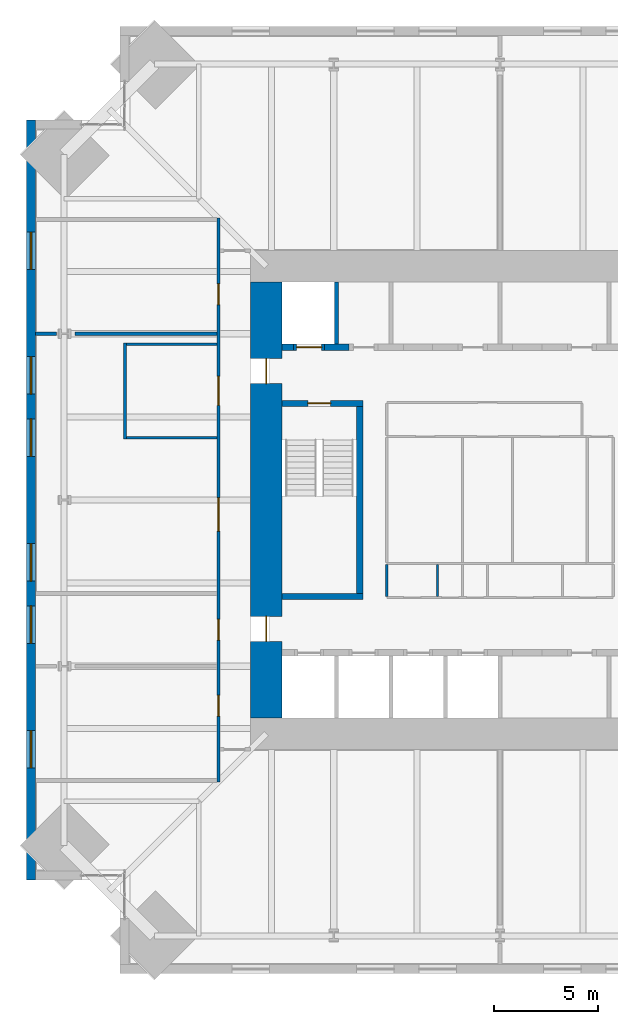
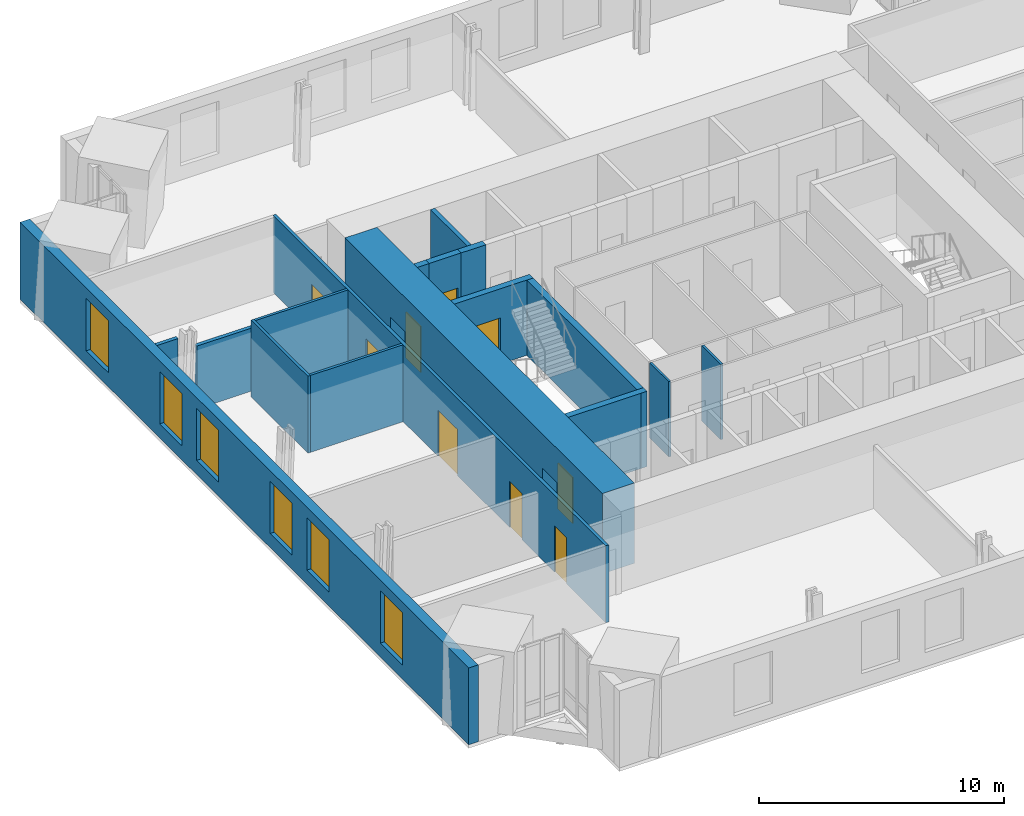
# One storey, part 11 of 15: 17 walls, 9 doors, 6 windows, 15 openings.
"""IFC4 building model written with IfcOpenShell, lengths in metres."""

from ifc_helpers import new_model, si_unit, direction, frame, frame_2d, origin, place, context, subcontext, project, spatial, rectangle, extrude, material, layer, layer_set, type_object, element, fill, save


model = new_model("IFC4")

# Units and contexts
model_context = context("Model", 3, precision=1e-05, world=origin(), true_north=direction((0.0, 1.0)))
body_context = subcontext(model_context, "Body", "Model", "MODEL_VIEW")
ifc_project = project(units=[si_unit("LENGTHUNIT", "METRE"), si_unit("AREAUNIT", "SQUARE_METRE"), si_unit("VOLUMEUNIT", "CUBIC_METRE"), si_unit("PLANEANGLEUNIT", "RADIAN"), si_unit("MASSUNIT", "GRAM", prefix="KILO")], contexts=[model_context])

# Site, building, storey
site_placement = place(None, origin())
site = spatial("IfcSite", under=ifc_project, at=site_placement, CompositionType="ELEMENT")
building_placement = place(site_placement, origin())
building = spatial("IfcBuilding", under=site, at=building_placement, Name="Peilmerk Tower", CompositionType="ELEMENT")
storey_placement = place(building_placement, frame((0.0, 0.0, 245.800048828125)))
storey = spatial("IfcBuildingStorey", under=building, at=storey_placement, Name="L54", CompositionType="ELEMENT", Elevation=245.800048828125)

# Wall, openings, windows
ifc_material_1 = material(Name="Precast concrete C45/55, board-marked finish", Category="concrete")
ifc_layer_1 = layer(ifc_material_1, 0.449951171875)
ifc_layer_set_1 = layer_set([ifc_layer_1], Name="Precast concrete C45/55, board-marked finish")
wall_type_1 = type_object("IfcWallType", Name="EW1 450 precast concrete facade wall, board-marked", PredefinedType="SOLIDWALL", material=ifc_layer_set_1)
wall_1_placement = place(storey_placement, frame((-22.574951171875, 18.300048828125, 0.0), z_axis=(0.0, 0.0, 1.0), x_axis=(0.0, -1.0, 0.0)))
wall_1 = element("IfcWall", 1, at=wall_1_placement, inside=storey, type_object=wall_type_1, Name="Facade wall W L54", PredefinedType="SOLIDWALL", context=body_context, shape_type="SweptSolid", body=[
    extrude(rectangle(XDim=36.60009765625, YDim=0.449951171875, at=frame_2d((18.300048828125, 0.0))), origin(), (0.0, 0.0, 1.0), 3.829833984375),
])
opening_1_placement = place(wall_1_placement, frame((5.39990234375, 0.0, 0.699951171875)))
opening_1 = element("IfcOpeningElement", 2, at=opening_1_placement, cuts=wall_1, Name="Opening W1", PredefinedType="OPENING", context=body_context, shape_type="SweptSolid", body=[
    extrude(rectangle(XDim=1.800048828125, YDim=2.60009765625, at=frame_2d((0.89990234375, 1.300048828125))), frame((0.0, 0.23486328125, 0.0), z_axis=(0.0, -1.0, 0.0), x_axis=(1.0, 0.0, 0.0)), (0.0, 0.0, 1.0), 0.469970703125),
])
opening_2_placement = place(wall_1_placement, frame((11.39990234375, 0.0, 0.699951171875)))
opening_2 = element("IfcOpeningElement", 3, at=opening_2_placement, cuts=wall_1, Name="Opening W1", PredefinedType="OPENING", context=body_context, shape_type="SweptSolid", body=[
    extrude(rectangle(XDim=1.800048828125, YDim=2.60009765625, at=frame_2d((0.89990234375, 1.300048828125))), frame((0.0, 0.23486328125, 0.0), z_axis=(0.0, -1.0, 0.0), x_axis=(1.0, 0.0, 0.0)), (0.0, 0.0, 1.0), 0.469970703125),
])
opening_3_placement = place(wall_1_placement, frame((14.39990234375, 0.0, 0.699951171875)))
opening_3 = element("IfcOpeningElement", 4, at=opening_3_placement, cuts=wall_1, Name="Opening W1", PredefinedType="OPENING", context=body_context, shape_type="SweptSolid", body=[
    extrude(rectangle(XDim=1.800048828125, YDim=2.60009765625, at=frame_2d((0.89990234375, 1.300048828125))), frame((0.0, 0.23486328125, 0.0), z_axis=(0.0, -1.0, 0.0), x_axis=(1.0, 0.0, 0.0)), (0.0, 0.0, 1.0), 0.469970703125),
])
opening_4_placement = place(wall_1_placement, frame((20.39990234375, 0.0, 0.699951171875)))
opening_4 = element("IfcOpeningElement", 5, at=opening_4_placement, cuts=wall_1, Name="Opening W1", PredefinedType="OPENING", context=body_context, shape_type="SweptSolid", body=[
    extrude(rectangle(XDim=1.800048828125, YDim=2.60009765625, at=frame_2d((0.89990234375, 1.300048828125))), frame((0.0, 0.23486328125, 0.0), z_axis=(0.0, -1.0, 0.0), x_axis=(1.0, 0.0, 0.0)), (0.0, 0.0, 1.0), 0.469970703125),
])
opening_5_placement = place(wall_1_placement, frame((23.39990234375, 0.0, 0.699951171875)))
opening_5 = element("IfcOpeningElement", 6, at=opening_5_placement, cuts=wall_1, Name="Opening W1", PredefinedType="OPENING", context=body_context, shape_type="SweptSolid", body=[
    extrude(rectangle(XDim=1.800048828125, YDim=2.60009765625, at=frame_2d((0.89990234375, 1.300048828125))), frame((0.0, 0.23486328125, 0.0), z_axis=(0.0, -1.0, 0.0), x_axis=(1.0, 0.0, 0.0)), (0.0, 0.0, 1.0), 0.469970703125),
])
opening_6_placement = place(wall_1_placement, frame((29.39990234375, 0.0, 0.699951171875)))
opening_6 = element("IfcOpeningElement", 7, at=opening_6_placement, cuts=wall_1, Name="Opening W1", PredefinedType="OPENING", context=body_context, shape_type="SweptSolid", body=[
    extrude(rectangle(XDim=1.800048828125, YDim=2.60009765625, at=frame_2d((0.89990234375, 1.300048828125))), frame((0.0, 0.23486328125, 0.0), z_axis=(0.0, -1.0, 0.0), x_axis=(1.0, 0.0, 0.0)), (0.0, 0.0, 1.0), 0.469970703125),
])
ifc_material_2 = material(Name="Aluminium frame, clear double glazing", Category="aluminium")
window_type = type_object("IfcWindowType", Name="W1 1800x2600 office window", PartitioningType="SINGLE_PANEL", PredefinedType="WINDOW", material=ifc_material_2)
window_1_placement = place(opening_1_placement, origin())
window_1 = element("IfcWindow", 8, at=window_1_placement, inside=storey, type_object=window_type, Name="Window W1 L54", OverallHeight=2.60009765625, OverallWidth=1.800048828125, PartitioningType="SINGLE_PANEL", PredefinedType="WINDOW", context=body_context, shape_type="SweptSolid", body=[
    extrude(rectangle(XDim=1.800048828125, YDim=2.60009765625, at=frame_2d((0.89990234375, 1.300048828125))), frame((0.0, 0.030029296875, 0.0), z_axis=(0.0, -1.0, 0.0), x_axis=(1.0, 0.0, 0.0)), (0.0, 0.0, 1.0), 0.06005859375),
])
fill(opening_1, window_1)
window_2_placement = place(opening_2_placement, origin())
window_2 = element("IfcWindow", 9, at=window_2_placement, inside=storey, type_object=window_type, Name="Window W1 L54", OverallHeight=2.60009765625, OverallWidth=1.800048828125, PartitioningType="SINGLE_PANEL", PredefinedType="WINDOW", context=body_context, shape_type="SweptSolid", body=[
    extrude(rectangle(XDim=1.800048828125, YDim=2.60009765625, at=frame_2d((0.89990234375, 1.300048828125))), frame((0.0, 0.030029296875, 0.0), z_axis=(0.0, -1.0, 0.0), x_axis=(1.0, 0.0, 0.0)), (0.0, 0.0, 1.0), 0.06005859375),
])
fill(opening_2, window_2)
window_3_placement = place(opening_3_placement, origin())
window_3 = element("IfcWindow", 10, at=window_3_placement, inside=storey, type_object=window_type, Name="Window W1 L54", OverallHeight=2.60009765625, OverallWidth=1.800048828125, PartitioningType="SINGLE_PANEL", PredefinedType="WINDOW", context=body_context, shape_type="SweptSolid", body=[
    extrude(rectangle(XDim=1.800048828125, YDim=2.60009765625, at=frame_2d((0.89990234375, 1.300048828125))), frame((0.0, 0.030029296875, 0.0), z_axis=(0.0, -1.0, 0.0), x_axis=(1.0, 0.0, 0.0)), (0.0, 0.0, 1.0), 0.06005859375),
])
fill(opening_3, window_3)
window_4_placement = place(opening_4_placement, origin())
window_4 = element("IfcWindow", 11, at=window_4_placement, inside=storey, type_object=window_type, Name="Window W1 L54", OverallHeight=2.60009765625, OverallWidth=1.800048828125, PartitioningType="SINGLE_PANEL", PredefinedType="WINDOW", context=body_context, shape_type="SweptSolid", body=[
    extrude(rectangle(XDim=1.800048828125, YDim=2.60009765625, at=frame_2d((0.89990234375, 1.300048828125))), frame((0.0, 0.030029296875, 0.0), z_axis=(0.0, -1.0, 0.0), x_axis=(1.0, 0.0, 0.0)), (0.0, 0.0, 1.0), 0.06005859375),
])
fill(opening_4, window_4)
window_5_placement = place(opening_5_placement, origin())
window_5 = element("IfcWindow", 12, at=window_5_placement, inside=storey, type_object=window_type, Name="Window W1 L54", OverallHeight=2.60009765625, OverallWidth=1.800048828125, PartitioningType="SINGLE_PANEL", PredefinedType="WINDOW", context=body_context, shape_type="SweptSolid", body=[
    extrude(rectangle(XDim=1.800048828125, YDim=2.60009765625, at=frame_2d((0.89990234375, 1.300048828125))), frame((0.0, 0.030029296875, 0.0), z_axis=(0.0, -1.0, 0.0), x_axis=(1.0, 0.0, 0.0)), (0.0, 0.0, 1.0), 0.06005859375),
])
fill(opening_5, window_5)
window_6_placement = place(opening_6_placement, origin())
window_6 = element("IfcWindow", 13, at=window_6_placement, inside=storey, type_object=window_type, Name="Window W1 L54", OverallHeight=2.60009765625, OverallWidth=1.800048828125, PartitioningType="SINGLE_PANEL", PredefinedType="WINDOW", context=body_context, shape_type="SweptSolid", body=[
    extrude(rectangle(XDim=1.800048828125, YDim=2.60009765625, at=frame_2d((0.89990234375, 1.300048828125))), frame((0.0, 0.030029296875, 0.0), z_axis=(0.0, -1.0, 0.0), x_axis=(1.0, 0.0, 0.0)), (0.0, 0.0, 1.0), 0.06005859375),
])
fill(opening_6, window_6)

# Wall, openings, doors
ifc_material_3 = material(Name="Calcium silicate block", Category="masonry")
ifc_layer_2 = layer(ifc_material_3, 0.14990234375)
ifc_layer_set_2 = layer_set([ifc_layer_2], Name="Calcium silicate block")
wall_type_2 = type_object("IfcWallType", Name="IW1 150 corridor partition, EI 60", PredefinedType="PARTITIONING", material=ifc_layer_set_2)
wall_2_placement = place(storey_placement, frame((-13.550048828125, 13.574951171875, 0.0), z_axis=(0.0, 0.0, 1.0), x_axis=(0.0, -1.0, 0.0)))
wall_2 = element("IfcWall", 14, at=wall_2_placement, inside=storey, type_object=wall_type_2, Name="Corridor wall W L54", PredefinedType="PARTITIONING", context=body_context, shape_type="SweptSolid", body=[
    extrude(rectangle(XDim=27.14990234375, YDim=0.14990234375, at=frame_2d((13.574951171875, 0.0))), origin(), (0.0, 0.0, 1.0), 3.829833984375),
])
opening_7_placement = place(wall_2_placement, frame((22.97509765625, 0.0, 0.0)))
opening_7 = element("IfcOpeningElement", 15, at=opening_7_placement, cuts=wall_2, Name="Opening D1", PredefinedType="OPENING", context=body_context, shape_type="SweptSolid", body=[
    extrude(rectangle(XDim=1.0, YDim=2.300048828125, at=frame_2d((0.5, 1.14990234375))), frame((0.0, 0.0849609375, 0.0), z_axis=(0.0, -1.0, 0.0), x_axis=(1.0, 0.0, 0.0)), (0.0, 0.0, 1.0), 0.169921875),
])
opening_8_placement = place(wall_2_placement, frame((19.324951171875, 0.0, 0.0)))
opening_8 = element("IfcOpeningElement", 16, at=opening_8_placement, cuts=wall_2, Name="Opening D1", PredefinedType="OPENING", context=body_context, shape_type="SweptSolid", body=[
    extrude(rectangle(XDim=1.0, YDim=2.300048828125, at=frame_2d((0.5, 1.14990234375))), frame((0.0, 0.0849609375, 0.0), z_axis=(0.0, -1.0, 0.0), x_axis=(1.0, 0.0, 0.0)), (0.0, 0.0, 1.0), 0.169921875),
])
opening_9_placement = place(wall_2_placement, frame((13.47509765625, 0.0, 0.0)))
opening_9 = element("IfcOpeningElement", 17, at=opening_9_placement, cuts=wall_2, Name="Opening D9", PredefinedType="OPENING", context=body_context, shape_type="SweptSolid", body=[
    extrude(rectangle(XDim=1.60009765625, YDim=2.300048828125, at=frame_2d((0.800048828125, 1.14990234375))), frame((0.0, 0.0849609375, 0.0), z_axis=(0.0, -1.0, 0.0), x_axis=(1.0, 0.0, 0.0)), (0.0, 0.0, 1.0), 0.169921875),
])
opening_10_placement = place(wall_2_placement, frame((3.175048828125, 0.0, 0.0)))
opening_10 = element("IfcOpeningElement", 18, at=opening_10_placement, cuts=wall_2, Name="Opening D1", PredefinedType="OPENING", context=body_context, shape_type="SweptSolid", body=[
    extrude(rectangle(XDim=1.0, YDim=2.300048828125, at=frame_2d((0.5, 1.14990234375))), frame((0.0, 0.0849609375, 0.0), z_axis=(0.0, -1.0, 0.0), x_axis=(1.0, 0.0, 0.0)), (0.0, 0.0, 1.0), 0.169921875),
])
opening_11_placement = place(wall_2_placement, frame((7.625, 0.0, 0.0)))
opening_11 = element("IfcOpeningElement", 19, at=opening_11_placement, cuts=wall_2, Name="Opening D8", PredefinedType="OPENING", context=body_context, shape_type="SweptSolid", body=[
    extrude(rectangle(XDim=1.39990234375, YDim=2.300048828125, at=frame_2d((0.699951171875, 1.14990234375))), frame((0.0, 0.0849609375, 0.0), z_axis=(0.0, -1.0, 0.0), x_axis=(1.0, 0.0, 0.0)), (0.0, 0.0, 1.0), 0.169921875),
])
ifc_material_4 = material(Name="Timber door in steel frame", Category="steel")
door_type_1 = type_object("IfcDoorType", Name="D1 1000x2300 room door, EI2 30", OperationType="SINGLE_SWING_LEFT", PredefinedType="DOOR", material=ifc_material_4)
door_1_placement = place(opening_7_placement, frame((1.0, 0.0, 0.0), z_axis=(0.0, 0.0, 1.0), x_axis=(-1.0, 0.0, 0.0)))
door_1 = element("IfcDoor", 20, at=door_1_placement, inside=storey, type_object=door_type_1, Name="Door Catering kitchen L54", OperationType="SINGLE_SWING_LEFT", OverallHeight=2.300048828125, OverallWidth=1.0, PredefinedType="DOOR", context=body_context, shape_type="SweptSolid", body=[
    extrude(rectangle(XDim=1.0, YDim=2.300048828125, at=frame_2d((0.5, 1.14990234375))), frame((0.0, 0.02490234375, 0.0), z_axis=(0.0, -1.0, 0.0), x_axis=(1.0, 0.0, 0.0)), (0.0, 0.0, 1.0), 0.050048828125),
])
fill(opening_7, door_1)
door_2_placement = place(opening_8_placement, frame((1.0, 0.0, 0.0), z_axis=(0.0, 0.0, 1.0), x_axis=(-1.0, 0.0, 0.0)))
door_2 = element("IfcDoor", 21, at=door_2_placement, inside=storey, type_object=door_type_1, Name="Door Catering servery L54", OperationType="SINGLE_SWING_LEFT", OverallHeight=2.300048828125, OverallWidth=1.0, PredefinedType="DOOR", context=body_context, shape_type="SweptSolid", body=[
    extrude(rectangle(XDim=1.0, YDim=2.300048828125, at=frame_2d((0.5, 1.14990234375))), frame((0.0, 0.02490234375, 0.0), z_axis=(0.0, -1.0, 0.0), x_axis=(1.0, 0.0, 0.0)), (0.0, 0.0, 1.0), 0.050048828125),
])
fill(opening_8, door_2)
door_3_placement = place(opening_10_placement, frame((1.0, 0.0, 0.0), z_axis=(0.0, 0.0, 1.0), x_axis=(-1.0, 0.0, 0.0)))
door_3 = element("IfcDoor", 22, at=door_3_placement, inside=storey, type_object=door_type_1, Name="Door Office L54", OperationType="SINGLE_SWING_LEFT", OverallHeight=2.300048828125, OverallWidth=1.0, PredefinedType="DOOR", context=body_context, shape_type="SweptSolid", body=[
    extrude(rectangle(XDim=1.0, YDim=2.300048828125, at=frame_2d((0.5, 1.14990234375))), frame((0.0, 0.02490234375, 0.0), z_axis=(0.0, -1.0, 0.0), x_axis=(1.0, 0.0, 0.0)), (0.0, 0.0, 1.0), 0.050048828125),
])
fill(opening_10, door_3)
door_type_2 = type_object("IfcDoorType", Name="D8 1400x2300 leaf-and-a-half door, EI2 30", OperationType="DOUBLE_DOOR_SINGLE_SWING", PredefinedType="DOOR", material=ifc_material_4)
door_4_placement = place(opening_11_placement, frame((1.39990234375, 0.0, 0.0), z_axis=(0.0, 0.0, 1.0), x_axis=(-1.0, 0.0, 0.0)))
door_4 = element("IfcDoor", 23, at=door_4_placement, inside=storey, type_object=door_type_2, Name="Door Briefing room L54", OperationType="DOUBLE_DOOR_SINGLE_SWING", OverallHeight=2.300048828125, OverallWidth=1.39990234375, PredefinedType="DOOR", context=body_context, shape_type="SweptSolid", body=[
    extrude(rectangle(XDim=1.39990234375, YDim=2.300048828125, at=frame_2d((0.699951171875, 1.14990234375))), frame((0.0, 0.02490234375, 0.0), z_axis=(0.0, -1.0, 0.0), x_axis=(1.0, 0.0, 0.0)), (0.0, 0.0, 1.0), 0.050048828125),
])
fill(opening_11, door_4)
ifc_material_5 = material(Name="Glazed timber door in steel frame", Category="steel")
door_type_3 = type_object("IfcDoorType", Name="D9 1600x2300 glazed double door, EI2 30", OperationType="DOUBLE_DOOR_SINGLE_SWING", PredefinedType="DOOR", material=ifc_material_5)
door_5_placement = place(opening_9_placement, frame((1.60009765625, 0.0, 0.0), z_axis=(0.0, 0.0, 1.0), x_axis=(-1.0, 0.0, 0.0)))
door_5 = element("IfcDoor", 24, at=door_5_placement, inside=storey, type_object=door_type_3, Name="Door Reception L54", OperationType="DOUBLE_DOOR_SINGLE_SWING", OverallHeight=2.300048828125, OverallWidth=1.60009765625, PredefinedType="DOOR", context=body_context, shape_type="SweptSolid", body=[
    extrude(rectangle(XDim=1.60009765625, YDim=2.300048828125, at=frame_2d((0.800048828125, 1.14990234375))), frame((0.0, 0.02490234375, 0.0), z_axis=(0.0, -1.0, 0.0), x_axis=(1.0, 0.0, 0.0)), (0.0, 0.0, 1.0), 0.050048828125),
])
fill(opening_9, door_5)

# Wall
ifc_material_6 = material(Name="Concrete C35/45", Category="concrete")
ifc_layer_3 = layer(ifc_material_6, 0.300048828125)
ifc_layer_set_3 = layer_set([ifc_layer_3], Name="Concrete C35/45")
wall_type_3 = type_object("IfcWallType", Name="IW3 300 concrete stair enclosure wall, EI 120", PredefinedType="SOLIDWALL", material=ifc_layer_set_3)
wall_3_placement = place(storey_placement, frame((-6.75, -4.800048828125, 0.0), z_axis=(0.0, 0.0, 1.0), x_axis=(0.0, 1.0, 0.0)))
element("IfcWall", 25, at=wall_3_placement, inside=storey, type_object=wall_type_3, Name="Stair 1 enclosure L54", PredefinedType="SOLIDWALL", context=body_context, shape_type="SweptSolid", body=[
    extrude(rectangle(XDim=9.60009765625, YDim=0.300048828125, at=frame_2d((4.800048828125, 0.0))), origin(), (0.0, 0.0, 1.0), 3.75),
])

# Wall, opening, door
wall_4_placement = place(storey_placement, frame((-10.5, 4.64990234375, 0.0), z_axis=(0.0, 0.0, 1.0), x_axis=(1.0, 0.0, 0.0)))
wall_4 = element("IfcWall", 26, at=wall_4_placement, inside=storey, type_object=wall_type_3, Name="Stair 1 enclosure L54", PredefinedType="SOLIDWALL", context=body_context, shape_type="SweptSolid", body=[
    extrude(rectangle(XDim=3.89990234375, YDim=0.300048828125, at=frame_2d((1.949951171875, 0.0))), origin(), (0.0, 0.0, 1.0), 3.75),
])
opening_12_placement = place(wall_4_placement, frame((1.25, 0.0, 0.0)))
opening_12 = element("IfcOpeningElement", 27, at=opening_12_placement, cuts=wall_4, Name="Opening D4", PredefinedType="OPENING", context=body_context, shape_type="SweptSolid", body=[
    extrude(rectangle(XDim=1.10009765625, YDim=2.300048828125, at=frame_2d((0.550048828125, 1.14990234375))), frame((0.0, 0.159912109375, 0.0), z_axis=(0.0, -1.0, 0.0), x_axis=(1.0, 0.0, 0.0)), (0.0, 0.0, 1.0), 0.320068359375),
])
ifc_material_7 = material(Name="Steel door in steel frame", Category="steel")
door_type_4 = type_object("IfcDoorType", Name="D4 1100x2300 stair door, EI2 60", OperationType="SINGLE_SWING_RIGHT", PredefinedType="DOOR", material=ifc_material_7)
door_6_placement = place(opening_12_placement, frame((1.10009765625, 0.0, 0.0), z_axis=(0.0, 0.0, 1.0), x_axis=(-1.0, 0.0, 0.0)))
door_6 = element("IfcDoor", 28, at=door_6_placement, inside=storey, type_object=door_type_4, Name="Stair 1 door L54", OperationType="SINGLE_SWING_RIGHT", OverallHeight=2.300048828125, OverallWidth=1.10009765625, PredefinedType="DOOR", context=body_context, shape_type="SweptSolid", body=[
    extrude(rectangle(XDim=1.10009765625, YDim=2.300048828125, at=frame_2d((0.550048828125, 1.14990234375))), frame((0.0, 0.02490234375, 0.0), z_axis=(0.0, -1.0, 0.0), x_axis=(1.0, 0.0, 0.0)), (0.0, 0.0, 1.0), 0.050048828125),
])
fill(opening_12, door_6)

# Walls
wall_5_placement = place(storey_placement, frame((-6.60009765625, -4.64990234375, 0.0), z_axis=(0.0, 0.0, 1.0), x_axis=(-1.0, 0.0, 0.0)))
element("IfcWall", 29, at=wall_5_placement, inside=storey, type_object=wall_type_3, Name="Stair 1 enclosure L54", PredefinedType="SOLIDWALL", context=body_context, shape_type="SweptSolid", body=[
    extrude(rectangle(XDim=3.89990234375, YDim=0.300048828125, at=frame_2d((1.949951171875, 0.0))), origin(), (0.0, 0.0, 1.0), 3.75),
])
ifc_material_8 = material(Name="Calcium silicate board on steel studs", Category="steel")
ifc_layer_4 = layer(ifc_material_8, 0.10009765625)
ifc_layer_set_4 = layer_set([ifc_layer_4], Name="Calcium silicate board on steel studs")
wall_type_4 = type_object("IfcWallType", Name="IW5 100 riser enclosure wall, EI 60", PredefinedType="PARTITIONING", material=ifc_layer_set_4)
for number, where, z_axis, x_axis, name in (
    (30, (-5.449951171875, -3.10009765625, 0.0), (0.0, 0.0, 1.0), (0.0, -1.0, 0.0), "Riser wall L54"),
    (31, (-3.0, -3.10009765625, 0.0), (0.0, 0.0, 1.0), (0.0, -1.0, 0.0), "Riser wall L54"),
):
    element("IfcWall", number, at=place(storey_placement, frame(where, z_axis=z_axis, x_axis=x_axis)), inside=storey, type_object=wall_type_4, Name=name, PredefinedType="PARTITIONING", context=body_context, shape_type="SweptSolid", body=[
        extrude(rectangle(XDim=1.5498046875, YDim=0.10009765625, at=frame_2d((0.77490234375, 0.0))), origin(), (0.0, 0.0, 1.0), 3.75),
    ])
ifc_material_9 = material(Name="Plasterboard on steel studs, double boarded with mineral wool", Category="steel")
ifc_layer_5 = layer(ifc_material_9, 0.125)
ifc_layer_set_5 = layer_set([ifc_layer_5], Name="Plasterboard on steel studs, double boarded with mineral wool")
wall_type_5 = type_object("IfcWallType", Name="IW7 125 acoustic partition, EI 30", PredefinedType="PARTITIONING", material=ifc_layer_set_5)
wall_6_placement = place(storey_placement, frame((-18.050048828125, 2.9375, 0.0), z_axis=(0.0, 0.0, 1.0), x_axis=(0.0, 1.0, 0.0)))
element("IfcWall", 32, at=wall_6_placement, inside=storey, type_object=wall_type_5, Name="Acoustic partition Briefing room L54", PredefinedType="PARTITIONING", context=body_context, shape_type="SweptSolid", body=[
    extrude(rectangle(XDim=4.625, YDim=0.125, at=frame_2d((2.3125, 0.0))), origin(), (0.0, 0.0, 1.0), 3.829833984375),
])
for number, where, z_axis, x_axis, name in (
    (33, (-13.625, 3.0, 0.0), (0.0, 0.0, 1.0), (-1.0, 0.0, 0.0), "Acoustic partition Briefing room L54"),
    (34, (-13.625, 7.5, 0.0), (0.0, 0.0, 1.0), (-1.0, 0.0, 0.0), "Acoustic partition Briefing room L54"),
):
    element("IfcWall", number, at=place(storey_placement, frame(where, z_axis=z_axis, x_axis=x_axis)), inside=storey, type_object=wall_type_5, Name=name, PredefinedType="PARTITIONING", context=body_context, shape_type="SweptSolid", body=[
        extrude(rectangle(XDim=4.362548828125, YDim=0.125, at=frame_2d((2.18115234375, 0.0))), origin(), (0.0, 0.0, 1.0), 3.829833984375),
    ])
ifc_layer_6 = layer(ifc_material_3, 0.175048828125)
ifc_layer_set_6 = layer_set([ifc_layer_6], Name="Calcium silicate block")
wall_type_6 = type_object("IfcWallType", Name="IW8 175 tenant separating wall, EI 60", PredefinedType="PARTITIONING", material=ifc_layer_set_6)
wall_7_placement = place(storey_placement, frame((-13.625, 8.0, 0.0), z_axis=(0.0, 0.0, 1.0), x_axis=(-1.0, 0.0, 0.0)))
element("IfcWall", 35, at=wall_7_placement, inside=storey, type_object=wall_type_6, Name="Tenant separating wall W3 L54", PredefinedType="PARTITIONING", context=body_context, shape_type="SweptSolid", body=[
    extrude(rectangle(XDim=6.835205078125, YDim=0.175048828125, at=frame_2d((3.41748046875, 0.0))), origin(), (0.0, 0.0, 1.0), 3.139892578125),
])
wall_8_placement = place(storey_placement, frame((-21.349365234375, 8.0, 0.0), z_axis=(0.0, 0.0, 1.0), x_axis=(-1.0, 0.0, 0.0)))
element("IfcWall", 36, at=wall_8_placement, inside=storey, type_object=wall_type_6, Name="Tenant separating wall W3b L54", PredefinedType="PARTITIONING", context=body_context, shape_type="SweptSolid", body=[
    extrude(rectangle(XDim=1.000732421875, YDim=0.175048828125, at=frame_2d((0.50048828125, 0.0))), origin(), (0.0, 0.0, 1.0), 3.829833984375),
])
ifc_layer_7 = layer(ifc_material_3, 0.199951171875)
ifc_layer_set_7 = layer_set([ifc_layer_7], Name="Calcium silicate block")
wall_type_7 = type_object("IfcWallType", Name="SH1 200 shaft dividing wall, EI 120", PredefinedType="PARTITIONING", material=ifc_layer_set_7)
wall_9_placement = place(storey_placement, frame((-7.875, 7.5, 0.0), z_axis=(0.0, 0.0, 1.0), x_axis=(0.0, 1.0, 0.0)))
element("IfcWall", 37, at=wall_9_placement, inside=storey, type_object=wall_type_7, Name="Shaft wall N FL1 L54", PredefinedType="PARTITIONING", context=body_context, shape_type="SweptSolid", body=[
    extrude(rectangle(XDim=3.0, YDim=0.199951171875, at=frame_2d((1.5, 0.0))), origin(), (0.0, 0.0, 1.0), 4.0),
])

# Wall, opening, door
ifc_layer_8 = layer(ifc_material_3, 0.300048828125)
ifc_layer_set_8 = layer_set([ifc_layer_8], Name="Calcium silicate block")
wall_type_8 = type_object("IfcWallType", Name="SH2 300 lift landing door panel, EI 120", PredefinedType="PARTITIONING", material=ifc_layer_set_8)
wall_10_placement = place(storey_placement, frame((-9.9375, 7.35009765625, 0.0), z_axis=(0.0, 0.0, 1.0), x_axis=(1.0, 0.0, 0.0)))
wall_10 = element("IfcWall", 38, at=wall_10_placement, inside=storey, type_object=wall_type_8, Name="Lift door panel N FL1 L54", PredefinedType="PARTITIONING", context=body_context, shape_type="SweptSolid", body=[
    extrude(rectangle(XDim=1.5, YDim=0.300048828125, at=frame_2d((0.75, 0.0))), origin(), (0.0, 0.0, 1.0), 4.0),
])
opening_13_placement = place(wall_10_placement, frame((0.14990234375, 0.0, 0.0)))
opening_13 = element("IfcOpeningElement", 39, at=opening_13_placement, cuts=wall_10, Name="Opening LD2", PredefinedType="OPENING", context=body_context, shape_type="SweptSolid", body=[
    extrude(rectangle(XDim=1.199951171875, YDim=2.300048828125, at=frame_2d((0.60009765625, 1.14990234375))), frame((0.0, 0.159912109375, 0.0), z_axis=(0.0, -1.0, 0.0), x_axis=(1.0, 0.0, 0.0)), (0.0, 0.0, 1.0), 0.320068359375),
])
ifc_material_10 = material(Name="Stainless steel landing door", Category="steel")
door_type_5 = type_object("IfcDoorType", Name="LD2 1200x2300 lift landing door, sliding, EI2 60", OperationType="SLIDING_TO_LEFT", PredefinedType="DOOR", material=ifc_material_10)
door_7_placement = place(opening_13_placement, frame((1.199951171875, 0.0, 0.0), z_axis=(0.0, 0.0, 1.0), x_axis=(-1.0, 0.0, 0.0)))
door_7 = element("IfcDoor", 40, at=door_7_placement, inside=storey, type_object=door_type_5, Name="Lift landing door FL1 L54", OperationType="SLIDING_TO_LEFT", OverallHeight=2.300048828125, OverallWidth=1.199951171875, PredefinedType="DOOR", context=body_context, shape_type="SweptSolid", body=[
    extrude(rectangle(XDim=1.199951171875, YDim=2.300048828125, at=frame_2d((0.60009765625, 1.14990234375))), frame((0.0, 0.02490234375, 0.0), z_axis=(0.0, -1.0, 0.0), x_axis=(1.0, 0.0, 0.0)), (0.0, 0.0, 1.0), 0.050048828125),
])
fill(opening_13, door_7)

# Wall, openings, doors
ifc_material_11 = material(Name="Concrete C55/67", Category="concrete")
ifc_layer_9 = layer(ifc_material_11, 1.5)
ifc_layer_set_9 = layer_set([ifc_layer_9], Name="Concrete C55/67")
wall_type_9 = type_object("IfcWallType", Name="SW1 1500 core wall", PredefinedType="SHEAR", material=ifc_layer_set_9)
wall_11_placement = place(storey_placement, frame((-11.25, -10.5, 0.0), z_axis=(0.0, 0.0, 1.0), x_axis=(0.0, 1.0, 0.0)))
wall_11 = element("IfcWall", 41, at=wall_11_placement, inside=storey, type_object=wall_type_9, Name="Core wall W L54", PredefinedType="SHEAR", context=body_context, shape_type="SweptSolid", body=[
    extrude(rectangle(XDim=21.0, YDim=1.5, at=frame_2d((10.5, 0.0))), origin(), (0.0, 0.0, 1.0), 4.0),
])
opening_14_placement = place(wall_11_placement, frame((16.10009765625, 0.0, 0.0)))
opening_14 = element("IfcOpeningElement", 42, at=opening_14_placement, cuts=wall_11, Name="Opening D3", PredefinedType="OPENING", context=body_context, shape_type="SweptSolid", body=[
    extrude(rectangle(XDim=1.199951171875, YDim=2.300048828125, at=frame_2d((0.60009765625, 1.14990234375))), frame((0.0, 0.760009765625, 0.0), z_axis=(0.0, -1.0, 0.0), x_axis=(1.0, 0.0, 0.0)), (0.0, 0.0, 1.0), 1.52001953125),
])
opening_15_placement = place(wall_11_placement, frame((3.699951171875, 0.0, 0.0)))
opening_15 = element("IfcOpeningElement", 43, at=opening_15_placement, cuts=wall_11, Name="Opening D3", PredefinedType="OPENING", context=body_context, shape_type="SweptSolid", body=[
    extrude(rectangle(XDim=1.199951171875, YDim=2.300048828125, at=frame_2d((0.60009765625, 1.14990234375))), frame((0.0, 0.760009765625, 0.0), z_axis=(0.0, -1.0, 0.0), x_axis=(1.0, 0.0, 0.0)), (0.0, 0.0, 1.0), 1.52001953125),
])
door_type_6 = type_object("IfcDoorType", Name="D3 1200x2300 core door, EI2 60", OperationType="SINGLE_SWING_LEFT", PredefinedType="DOOR", material=ifc_material_7)
door_8_placement = place(opening_14_placement, frame((1.199951171875, 0.0, 0.0), z_axis=(0.0, 0.0, 1.0), x_axis=(-1.0, 0.0, 0.0)))
door_8 = element("IfcDoor", 44, at=door_8_placement, inside=storey, type_object=door_type_6, Name="Core door L54", OperationType="SINGLE_SWING_LEFT", OverallHeight=2.300048828125, OverallWidth=1.199951171875, PredefinedType="DOOR", context=body_context, shape_type="SweptSolid", body=[
    extrude(rectangle(XDim=1.199951171875, YDim=2.300048828125, at=frame_2d((0.60009765625, 1.14990234375))), frame((0.0, 0.02490234375, 0.0), z_axis=(0.0, -1.0, 0.0), x_axis=(1.0, 0.0, 0.0)), (0.0, 0.0, 1.0), 0.050048828125),
])
fill(opening_14, door_8)
door_9_placement = place(opening_15_placement, frame((1.199951171875, 0.0, 0.0), z_axis=(0.0, 0.0, 1.0), x_axis=(-1.0, 0.0, 0.0)))
door_9 = element("IfcDoor", 45, at=door_9_placement, inside=storey, type_object=door_type_6, Name="Core door L54", OperationType="SINGLE_SWING_LEFT", OverallHeight=2.300048828125, OverallWidth=1.199951171875, PredefinedType="DOOR", context=body_context, shape_type="SweptSolid", body=[
    extrude(rectangle(XDim=1.199951171875, YDim=2.300048828125, at=frame_2d((0.60009765625, 1.14990234375))), frame((0.0, 0.02490234375, 0.0), z_axis=(0.0, -1.0, 0.0), x_axis=(1.0, 0.0, 0.0)), (0.0, 0.0, 1.0), 0.050048828125),
])
fill(opening_15, door_9)

# Walls
ifc_layer_10 = layer(ifc_material_11, 0.300048828125)
ifc_layer_set_10 = layer_set([ifc_layer_10], Name="Concrete C55/67")
wall_type_10 = type_object("IfcWallType", Name="SW2 300 lift bank pier", PredefinedType="SHEAR", material=ifc_layer_set_10)
wall_12_placement = place(storey_placement, frame((-10.5, 7.35009765625, 0.0), z_axis=(0.0, 0.0, 1.0), x_axis=(1.0, 0.0, 0.0)))
element("IfcWall", 46, at=wall_12_placement, inside=storey, type_object=wall_type_10, Name="Lift bank pier N L54", PredefinedType="SHEAR", context=body_context, shape_type="SweptSolid", body=[
    extrude(rectangle(XDim=0.5625, YDim=0.300048828125, at=frame_2d((0.28125, 0.0))), origin(), (0.0, 0.0, 1.0), 4.0),
])
wall_13_placement = place(storey_placement, frame((-8.4375, 7.35009765625, 0.0), z_axis=(0.0, 0.0, 1.0), x_axis=(1.0, 0.0, 0.0)))
element("IfcWall", 47, at=wall_13_placement, inside=storey, type_object=wall_type_10, Name="Lift bank pier N L54", PredefinedType="SHEAR", context=body_context, shape_type="SweptSolid", body=[
    extrude(rectangle(XDim=1.175048828125, YDim=0.300048828125, at=frame_2d((0.58740234375, 0.0))), origin(), (0.0, 0.0, 1.0), 4.0),
])

save(model, "model.ifc")
